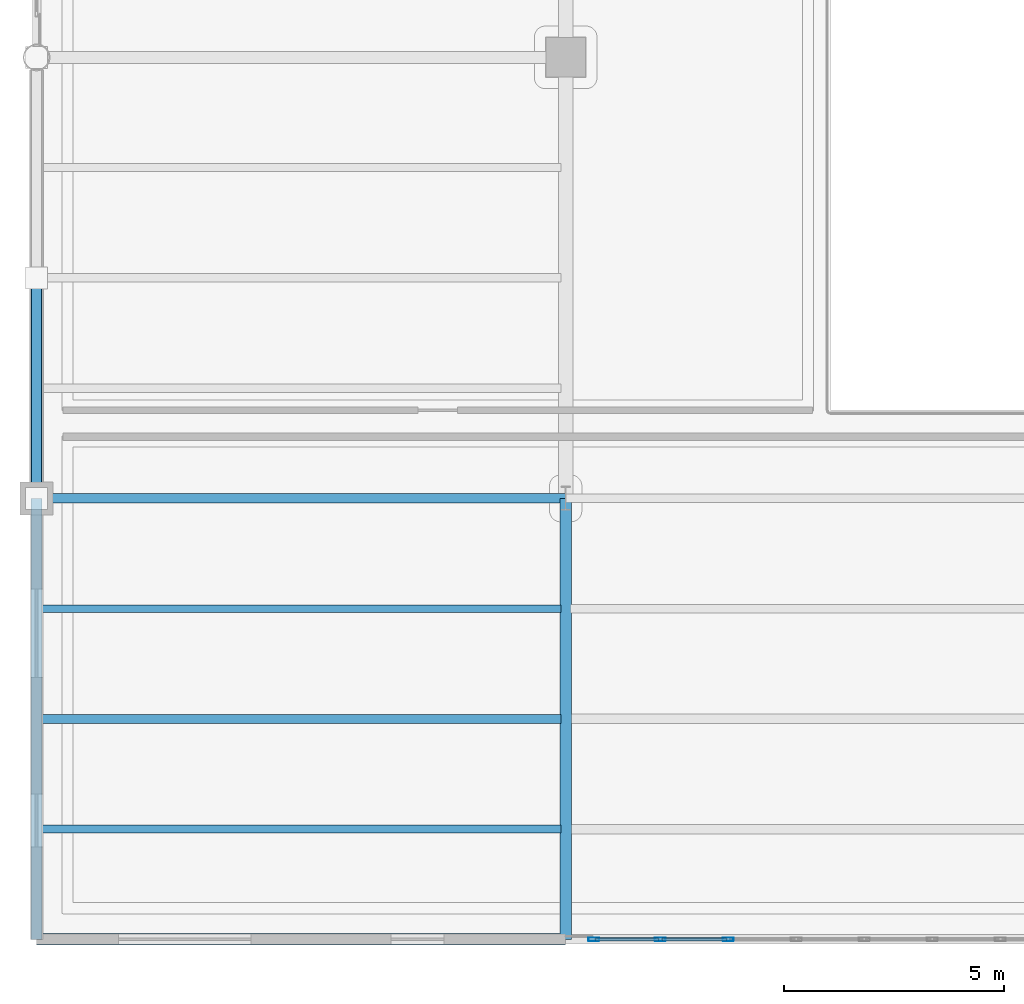
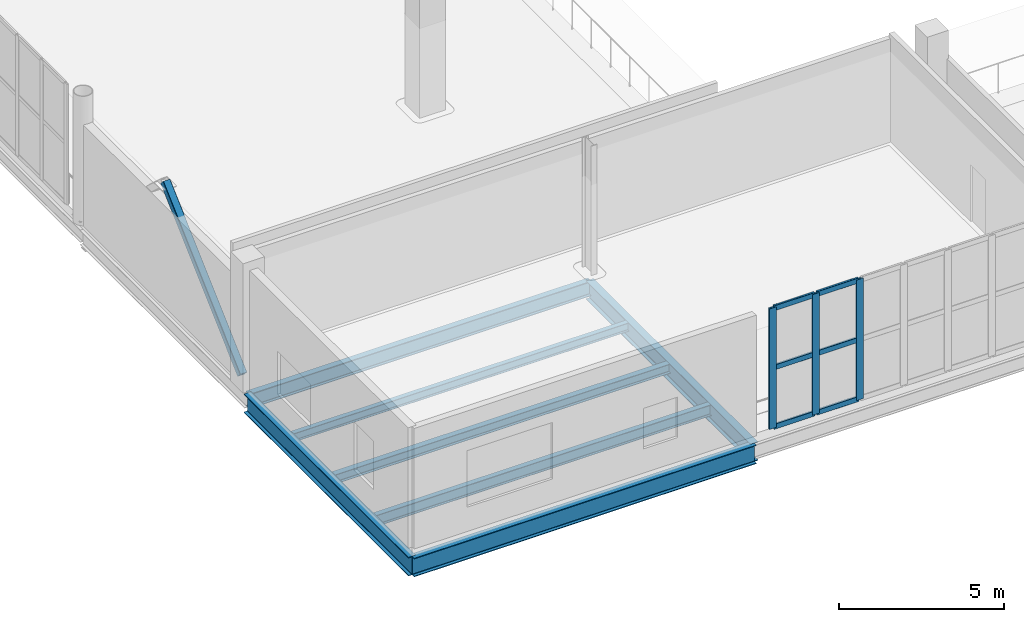
# One storey, part 17 of 136: 10 members, 7 beams, 1 element without a shape of its own.
"""IFC4 building model written with IfcOpenShell, lengths in metres."""

from ifc_helpers import new_model, si_unit, direction, frame, origin, origin_2d, place, context, subcontext, project, spatial, hollow_rectangle, i_section, extrude, material, layer, layer_set, material_profile, profile_set, type_object, element, aggregate, save


model = new_model("IFC4")

# Units and contexts
model_context = context("Model", 3, precision=1e-05, world=origin(), true_north=direction((0.0, 1.0)))
body_context = subcontext(model_context, "Body", "Model", "MODEL_VIEW")
ifc_project = project(units=[si_unit("LENGTHUNIT", "METRE"), si_unit("AREAUNIT", "SQUARE_METRE"), si_unit("VOLUMEUNIT", "CUBIC_METRE"), si_unit("PLANEANGLEUNIT", "RADIAN"), si_unit("MASSUNIT", "GRAM", prefix="KILO")], contexts=[model_context])

# Site, building, storey
site_placement = place(None, origin())
site = spatial("IfcSite", under=ifc_project, at=site_placement, CompositionType="ELEMENT")
building_placement = place(site_placement, origin())
building = spatial("IfcBuilding", under=site, at=building_placement, Name="Brinegate Civic Arena", CompositionType="ELEMENT")
storey_placement = place(building_placement, frame((0.0, 0.0, 5.39990234375)))
storey = spatial("IfcBuildingStorey", under=building, at=storey_placement, Name="L01", CompositionType="ELEMENT", Elevation=5.39990234375)

# Curtain wall, members
ifc_material_1 = material(Name="Marine grade aluminium", Category="aluminium")
ifc_layer = layer(ifc_material_1, 0.18505859375, Name="Marine grade aluminium")
ifc_layer_set = layer_set([ifc_layer], Name="Marine grade aluminium")
curtain_wall_type = type_object("IfcCurtainWallType", Name="CW-WING-GLAZED-03", PredefinedType="USERDEFINED", material=ifc_layer_set)
curtain_wall_placement = place(storey_placement, origin())
curtain_wall = element("IfcCurtainWall", 1, at=curtain_wall_placement, inside=storey, type_object=curtain_wall_type, Name="Curtain Wall CWA-014", ObjectType="GLAZED CURTAIN WALL", PredefinedType="USERDEFINED")
ifc_material_profile_1 = material_profile(ifc_material_1, hollow_rectangle(XDim=0.074951171875, YDim=0.25, WallThickness=0.006103515625, InnerFilletRadius=0.00390625, OuterFilletRadius=0.008056640625, at=origin_2d()), Name="MUL75X250")
ifc_profile_set_1 = profile_set([ifc_material_profile_1], Name="Marine grade aluminium")
member_type_1 = type_object("IfcMemberType", Name="CW-MULLION-75X250", PredefinedType="MULLION", material=ifc_profile_set_1)
member_1_placement = place(storey_placement, frame((12.637451171875, 0.0, 0.0), z_axis=(0.0, 0.0, 1.0), x_axis=(0.0, 1.0, 0.0)))
member_1 = element("IfcMember", 2, at=member_1_placement, type_object=member_type_1, Name="CWA-014 mullion 1", PredefinedType="MULLION", context=body_context, shape_type="SweptSolid", body=[
    extrude(hollow_rectangle(XDim=0.074951171875, YDim=0.25, WallThickness=0.006103515625, InnerFilletRadius=0.00390625, OuterFilletRadius=0.008056640625, at=origin_2d()), origin(), (0.0, 0.0, 1.0), 4.47021484375),
])
member_2_placement = place(storey_placement, frame((14.142822265625, 0.0, 0.0), z_axis=(0.0, 0.0, 1.0), x_axis=(0.0, 1.0, 0.0)))
member_2 = element("IfcMember", 3, at=member_2_placement, type_object=member_type_1, Name="CWA-014 mullion 2", PredefinedType="MULLION", context=body_context, shape_type="SweptSolid", body=[
    extrude(hollow_rectangle(XDim=0.074951171875, YDim=0.25, WallThickness=0.006103515625, InnerFilletRadius=0.00390625, OuterFilletRadius=0.008056640625, at=origin_2d()), origin(), (0.0, 0.0, 1.0), 4.47021484375),
])
member_3_placement = place(storey_placement, frame((15.685791015625, 0.0, 0.0), z_axis=(0.0, 0.0, 1.0), x_axis=(0.0, 1.0, 0.0)))
member_3 = element("IfcMember", 4, at=member_3_placement, type_object=member_type_1, Name="CWA-014 mullion 3", PredefinedType="MULLION", context=body_context, shape_type="SweptSolid", body=[
    extrude(hollow_rectangle(XDim=0.074951171875, YDim=0.25, WallThickness=0.006103515625, InnerFilletRadius=0.00390625, OuterFilletRadius=0.008056640625, at=origin_2d()), origin(), (0.0, 0.0, 1.0), 4.47021484375),
])
ifc_material_profile_2 = material_profile(ifc_material_1, hollow_rectangle(XDim=0.074951171875, YDim=0.18994140625, WallThickness=0.006103515625, InnerFilletRadius=0.00390625, OuterFilletRadius=0.008056640625, at=origin_2d()), Name="TRN75X190")
ifc_profile_set_2 = profile_set([ifc_material_profile_2], Name="Marine grade aluminium")
member_type_2 = type_object("IfcMemberType", Name="CW-TRANSOM-75X190", PredefinedType="USERDEFINED", material=ifc_profile_set_2)
member_4_placement = place(storey_placement, frame((12.675048828125, 0.0, 0.03759765625), z_axis=(1.0, 0.0, 0.0), x_axis=(0.0, 1.0, 0.0)))
member_4 = element("IfcMember", 5, at=member_4_placement, type_object=member_type_2, Name="CWA-014 transom 1.1", ObjectType="TRANSOM", PredefinedType="USERDEFINED", context=body_context, shape_type="SweptSolid", body=[
    extrude(hollow_rectangle(XDim=0.074951171875, YDim=0.18994140625, WallThickness=0.006103515625, InnerFilletRadius=0.00390625, OuterFilletRadius=0.008056640625, at=origin_2d()), origin(), (0.0, 0.0, 1.0), 1.430419921875),
])
member_5_placement = place(storey_placement, frame((12.675048828125, 0.0, 2.235107421875), z_axis=(1.0, 0.0, 0.0), x_axis=(0.0, 1.0, 0.0)))
member_5 = element("IfcMember", 6, at=member_5_placement, type_object=member_type_2, Name="CWA-014 transom 1.2", ObjectType="TRANSOM", PredefinedType="USERDEFINED", context=body_context, shape_type="SweptSolid", body=[
    extrude(hollow_rectangle(XDim=0.074951171875, YDim=0.18994140625, WallThickness=0.006103515625, InnerFilletRadius=0.00390625, OuterFilletRadius=0.008056640625, at=origin_2d()), origin(), (0.0, 0.0, 1.0), 1.430419921875),
])
member_6_placement = place(storey_placement, frame((12.675048828125, 0.0, 4.4326171875), z_axis=(1.0, 0.0, 0.0), x_axis=(0.0, 1.0, 0.0)))
member_6 = element("IfcMember", 7, at=member_6_placement, type_object=member_type_2, Name="CWA-014 transom 1.3", ObjectType="TRANSOM", PredefinedType="USERDEFINED", context=body_context, shape_type="SweptSolid", body=[
    extrude(hollow_rectangle(XDim=0.074951171875, YDim=0.18994140625, WallThickness=0.006103515625, InnerFilletRadius=0.00390625, OuterFilletRadius=0.008056640625, at=origin_2d()), origin(), (0.0, 0.0, 1.0), 1.430419921875),
])
member_7_placement = place(storey_placement, frame((14.180419921875, 0.0, 0.03759765625), z_axis=(1.0, 0.0, 0.0), x_axis=(0.0, 1.0, 0.0)))
member_7 = element("IfcMember", 8, at=member_7_placement, type_object=member_type_2, Name="CWA-014 transom 2.1", ObjectType="TRANSOM", PredefinedType="USERDEFINED", context=body_context, shape_type="SweptSolid", body=[
    extrude(hollow_rectangle(XDim=0.074951171875, YDim=0.18994140625, WallThickness=0.006103515625, InnerFilletRadius=0.00390625, OuterFilletRadius=0.008056640625, at=origin_2d()), origin(), (0.0, 0.0, 1.0), 1.4677734375),
])
member_8_placement = place(storey_placement, frame((14.180419921875, 0.0, 2.235107421875), z_axis=(1.0, 0.0, 0.0), x_axis=(0.0, 1.0, 0.0)))
member_8 = element("IfcMember", 9, at=member_8_placement, type_object=member_type_2, Name="CWA-014 transom 2.2", ObjectType="TRANSOM", PredefinedType="USERDEFINED", context=body_context, shape_type="SweptSolid", body=[
    extrude(hollow_rectangle(XDim=0.074951171875, YDim=0.18994140625, WallThickness=0.006103515625, InnerFilletRadius=0.00390625, OuterFilletRadius=0.008056640625, at=origin_2d()), origin(), (0.0, 0.0, 1.0), 1.4677734375),
])
member_9_placement = place(storey_placement, frame((14.180419921875, 0.0, 4.4326171875), z_axis=(1.0, 0.0, 0.0), x_axis=(0.0, 1.0, 0.0)))
member_9 = element("IfcMember", 10, at=member_9_placement, type_object=member_type_2, Name="CWA-014 transom 2.3", ObjectType="TRANSOM", PredefinedType="USERDEFINED", context=body_context, shape_type="SweptSolid", body=[
    extrude(hollow_rectangle(XDim=0.074951171875, YDim=0.18994140625, WallThickness=0.006103515625, InnerFilletRadius=0.00390625, OuterFilletRadius=0.008056640625, at=origin_2d()), origin(), (0.0, 0.0, 1.0), 1.4677734375),
])
aggregate(curtain_wall, [member_1, member_2, member_3, member_4, member_5, member_6, member_7, member_8, member_9])

# Beams
ifc_material_2 = material(Name="Steel S355", Category="steel")
ifc_material_profile_3 = material_profile(ifc_material_2, i_section(OverallWidth=0.256103515625, OverallDepth=0.693115234375, WebThickness=0.014892578125, FlangeThickness=0.02392578125, FilletRadius=0.01806640625, at=origin_2d()), Name="W690X170")
ifc_profile_set_3 = profile_set([ifc_material_profile_3], Name="Steel S355")
beam_type_1 = type_object("IfcBeamType", Name="GIRDER-W690X170", PredefinedType="BEAM", material=ifc_profile_set_3)
beam_1_placement = place(storey_placement, frame((12.0, 0.0, -0.685791015625), z_axis=(0.0, 1.0, 0.0), x_axis=(-1.0, 0.0, 0.0)))
element("IfcBeam", 11, at=beam_1_placement, inside=storey, type_object=beam_type_1, Name="Floor Girder BM-L01-GY-01-00", PredefinedType="BEAM", context=body_context, shape_type="SweptSolid", body=[
    extrude(i_section(OverallWidth=0.256103515625, OverallDepth=0.693115234375, WebThickness=0.014892578125, FlangeThickness=0.02392578125, FilletRadius=0.01806640625, at=origin_2d()), origin(), (0.0, 0.0, 1.0), 10.0),
])
ifc_material_profile_4 = material_profile(ifc_material_2, i_section(OverallWidth=0.1669921875, OverallDepth=0.31689453125, WebThickness=0.008056640625, FlangeThickness=0.012939453125, FilletRadius=0.012939453125, at=origin_2d()), Name="W310X52")
ifc_profile_set_4 = profile_set([ifc_material_profile_4], Name="Steel S355")
beam_type_2 = type_object("IfcBeamType", Name="JOIST-W310X52", PredefinedType="JOIST", material=ifc_profile_set_4)
beam_2_placement = place(storey_placement, frame((0.10595703125, 7.5, -0.497802734375), z_axis=(1.0, 0.0, 0.0), x_axis=(0.0, 1.0, 0.0)))
element("IfcBeam", 12, at=beam_2_placement, inside=storey, type_object=beam_type_2, Name="Secondary Joist BM-L01-JX-00-00-3", PredefinedType="JOIST", context=body_context, shape_type="SweptSolid", body=[
    extrude(i_section(OverallWidth=0.1669921875, OverallDepth=0.31689453125, WebThickness=0.008056640625, FlangeThickness=0.012939453125, FilletRadius=0.012939453125, at=origin_2d()), origin(), (0.0, 0.0, 1.0), 11.7880859375),
])
ifc_material_profile_5 = material_profile(ifc_material_2, i_section(OverallWidth=0.202880859375, OverallDepth=0.346923828125, WebThickness=0.008056640625, FlangeThickness=0.013916015625, FilletRadius=0.013916015625, at=origin_2d()), Name="W360X64")
ifc_profile_set_5 = profile_set([ifc_material_profile_5], Name="Steel S355")
beam_type_3 = type_object("IfcBeamType", Name="JOIST-W360X64", PredefinedType="JOIST", material=ifc_profile_set_5)
beam_3_placement = place(storey_placement, frame((0.10595703125, 5.0, -0.512939453125), z_axis=(1.0, 0.0, 0.0), x_axis=(0.0, 1.0, 0.0)))
element("IfcBeam", 13, at=beam_3_placement, inside=storey, type_object=beam_type_3, Name="Secondary Joist BM-L01-JX-00-00-2", PredefinedType="JOIST", context=body_context, shape_type="SweptSolid", body=[
    extrude(i_section(OverallWidth=0.202880859375, OverallDepth=0.346923828125, WebThickness=0.008056640625, FlangeThickness=0.013916015625, FilletRadius=0.013916015625, at=origin_2d()), origin(), (0.0, 0.0, 1.0), 11.7880859375),
])
ifc_material_profile_6 = material_profile(ifc_material_2, i_section(OverallWidth=0.179931640625, OverallDepth=0.4130859375, WebThickness=0.010009765625, FlangeThickness=0.01611328125, FilletRadius=0.013916015625, at=origin_2d()), Name="W410X75")
ifc_profile_set_6 = profile_set([ifc_material_profile_6], Name="Steel S355")
beam_type_4 = type_object("IfcBeamType", Name="JOIST-W410X75", PredefinedType="JOIST", material=ifc_profile_set_6)
beam_4_placement = place(storey_placement, frame((0.10595703125, 2.5, -0.5458984375), z_axis=(1.0, 0.0, 0.0), x_axis=(0.0, 1.0, 0.0)))
element("IfcBeam", 14, at=beam_4_placement, inside=storey, type_object=beam_type_4, Name="Secondary Joist BM-L01-JX-00-00-1", PredefinedType="JOIST", context=body_context, shape_type="SweptSolid", body=[
    extrude(i_section(OverallWidth=0.179931640625, OverallDepth=0.4130859375, WebThickness=0.010009765625, FlangeThickness=0.01611328125, FilletRadius=0.013916015625, at=origin_2d()), origin(), (0.0, 0.0, 1.0), 11.7880859375),
])

# Member
ifc_material_profile_7 = material_profile(ifc_material_2, hollow_rectangle(XDim=0.25, YDim=0.25, WallThickness=0.011962890625, InnerFilletRadius=0.011962890625, OuterFilletRadius=0.02392578125, at=origin_2d()), Name="SHS250X12")
ifc_profile_set_7 = profile_set([ifc_material_profile_7], Name="Steel S355")
member_type_3 = type_object("IfcMemberType", Name="SF-BRACE-SHS250", PredefinedType="BRACE", material=ifc_profile_set_7)
member_10_placement = place(storey_placement, frame((0.0, 10.320068359375, 0.150146484375), z_axis=(0.0, 0.734793157262, 0.678291247209), x_axis=(-1.0, 0.0, 0.0)))
element("IfcMember", 15, at=member_10_placement, inside=storey, type_object=member_type_3, Name="Lateral Chevron Brace 03-A", PredefinedType="BRACE", context=body_context, shape_type="SweptSolid", body=[
    extrude(hollow_rectangle(XDim=0.25, YDim=0.25, WallThickness=0.011962890625, InnerFilletRadius=0.011962890625, OuterFilletRadius=0.02392578125, at=origin_2d()), origin(), (0.0, 0.0, 1.0), 6.369140625),
])

# Beams
ifc_material_profile_8 = material_profile(ifc_material_2, i_section(OverallWidth=0.2119140625, OverallDepth=0.5439453125, WebThickness=0.012939453125, FlangeThickness=0.02099609375, FilletRadius=0.01611328125, at=origin_2d()), Name="W530X123")
ifc_profile_set_8 = profile_set([ifc_material_profile_8], Name="Steel S355")
beam_type_5 = type_object("IfcBeamType", Name="SPANDREL-W530X123", PredefinedType="SPANDREL", material=ifc_profile_set_8)
beam_5_placement = place(storey_placement, frame((0.0, 10.0, -0.61181640625), z_axis=(1.0, 0.0, 0.0), x_axis=(0.0, 1.0, 0.0)))
element("IfcBeam", 16, at=beam_5_placement, inside=storey, type_object=beam_type_5, Name="Floor Girder BM-L01-GX-00-01", PredefinedType="SPANDREL", context=body_context, shape_type="SweptSolid", body=[
    extrude(i_section(OverallWidth=0.2119140625, OverallDepth=0.5439453125, WebThickness=0.012939453125, FlangeThickness=0.02099609375, FilletRadius=0.01611328125, at=origin_2d()), origin(), (0.0, 0.0, 1.0), 12.0),
])
ifc_material_profile_9 = material_profile(ifc_material_2, i_section(OverallWidth=0.256103515625, OverallDepth=0.693115234375, WebThickness=0.014892578125, FlangeThickness=0.02392578125, FilletRadius=0.01806640625, at=origin_2d()), Name="W690X170")
ifc_profile_set_9 = profile_set([ifc_material_profile_9], Name="Steel S355")
beam_type_6 = type_object("IfcBeamType", Name="SPANDREL-W690X170", PredefinedType="SPANDREL", material=ifc_profile_set_9)
beam_6_placement = place(storey_placement, frame((0.0, 0.0, -0.685791015625), z_axis=(1.0, 0.0, 0.0), x_axis=(0.0, 1.0, 0.0)))
element("IfcBeam", 17, at=beam_6_placement, inside=storey, type_object=beam_type_6, Name="Floor Girder BM-L01-GX-00-00", PredefinedType="SPANDREL", context=body_context, shape_type="SweptSolid", body=[
    extrude(i_section(OverallWidth=0.256103515625, OverallDepth=0.693115234375, WebThickness=0.014892578125, FlangeThickness=0.02392578125, FilletRadius=0.01806640625, at=origin_2d()), origin(), (0.0, 0.0, 1.0), 12.0),
])
beam_7_placement = place(storey_placement, frame((0.0, 0.0, -0.685791015625), z_axis=(0.0, 1.0, 0.0), x_axis=(-1.0, 0.0, 0.0)))
element("IfcBeam", 18, at=beam_7_placement, inside=storey, type_object=beam_type_6, Name="Floor Girder BM-L01-GY-00-00", PredefinedType="SPANDREL", context=body_context, shape_type="SweptSolid", body=[
    extrude(i_section(OverallWidth=0.256103515625, OverallDepth=0.693115234375, WebThickness=0.014892578125, FlangeThickness=0.02392578125, FilletRadius=0.01806640625, at=origin_2d()), origin(), (0.0, 0.0, 1.0), 10.0),
])

save(model, "model.ifc")
